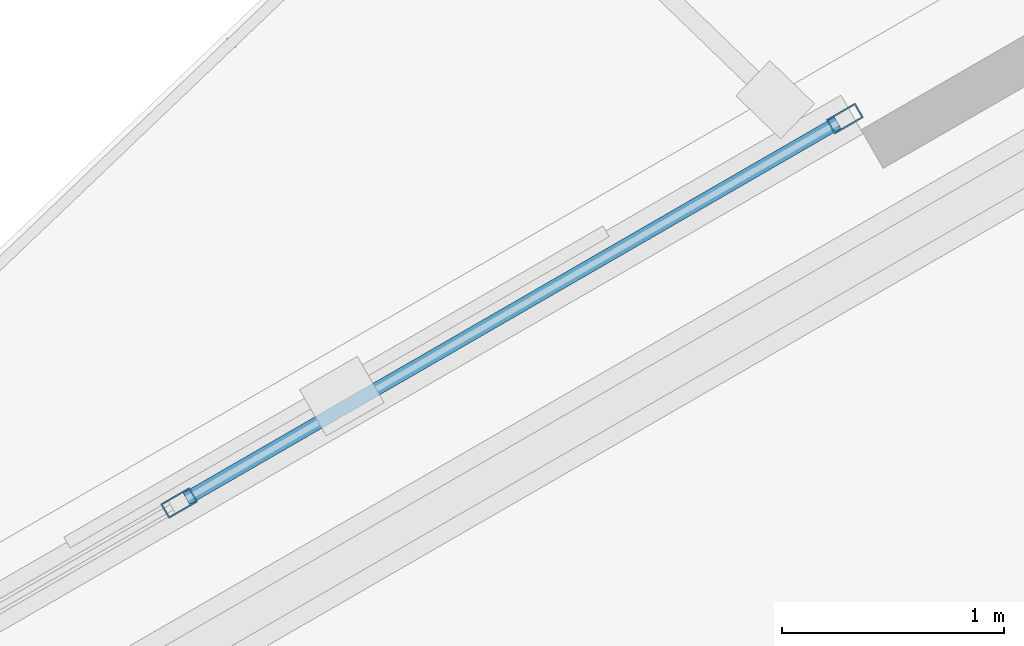
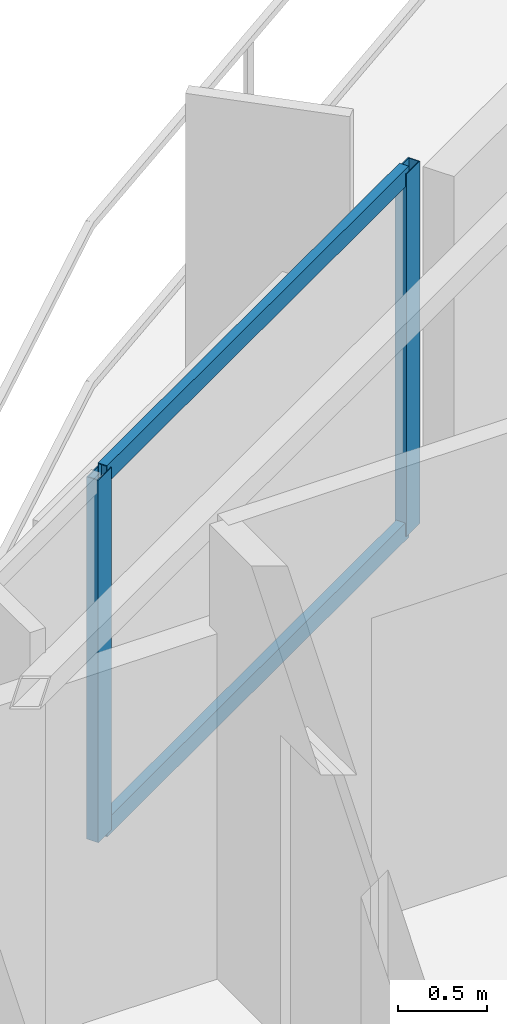
# One storey, part 10 of 18: 4 members, 1 element without a shape of its own.
"""IFC4 building model written with IfcOpenShell, lengths in metres."""

from ifc_helpers import new_model, si_unit, direction, frame, origin, origin_2d, place, context, subcontext, project, spatial, hollow_rectangle, extrude, material, layer, layer_set, material_profile, profile_set, type_object, element, aggregate, save


model = new_model("IFC4")

# Units and contexts
model_context = context("Model", 3, precision=1e-05, world=origin(), true_north=direction((0.0, 1.0)))
body_context = subcontext(model_context, "Body", "Model", "MODEL_VIEW")
ifc_project = project(units=[si_unit("LENGTHUNIT", "METRE"), si_unit("AREAUNIT", "SQUARE_METRE"), si_unit("VOLUMEUNIT", "CUBIC_METRE"), si_unit("PLANEANGLEUNIT", "RADIAN"), si_unit("MASSUNIT", "GRAM", prefix="KILO")], contexts=[model_context])

# Site, building, storey
site_placement = place(None, origin())
site = spatial("IfcSite", under=ifc_project, at=site_placement, CompositionType="ELEMENT")
building_placement = place(site_placement, origin())
building = spatial("IfcBuilding", under=site, at=building_placement, Name="Mersakhor Tower and Convention Hall", CompositionType="ELEMENT")
storey_placement = place(building_placement, frame((0.0, 0.0, 134.39990234375)))
storey = spatial("IfcBuildingStorey", under=building, at=storey_placement, Name="L37", CompositionType="ELEMENT", Elevation=134.39990234375)

# Curtain wall, members
ifc_material_1 = material(Name="Dark solar low-E aluminium curtain wall", Category="aluminium")
ifc_layer = layer(ifc_material_1, 0.169921875)
ifc_layer_set = layer_set([ifc_layer], Name="Dark solar low-E aluminium curtain wall")
curtain_wall_type = type_object("IfcCurtainWallType", Name="CW-SYS-02", PredefinedType="USERDEFINED", material=ifc_layer_set)
curtain_wall_placement = place(storey_placement, origin())
curtain_wall = element("IfcCurtainWall", 1, at=curtain_wall_placement, inside=storey, type_object=curtain_wall_type, Name="L37 Dark-Glass Curtain Wall F1-B2", ObjectType="CURTAIN WALL", PredefinedType="USERDEFINED")
ifc_material_2 = material(Name="Anodised aluminium EN AW-6063 T6", Category="aluminium")
ifc_material_profile_1 = material_profile(ifc_material_2, hollow_rectangle(XDim=0.074951171875, YDim=0.14990234375, WallThickness=0.00634765625, at=origin_2d()), Name="RHS 150x75x6.3")
ifc_profile_set_1 = profile_set([ifc_material_profile_1], Name="Anodised aluminium EN AW-6063 T6")
member_type_1 = type_object("IfcMemberType", Name="CWM-150x75", PredefinedType="MULLION", material=ifc_profile_set_1)
member_1_placement = place(storey_placement, frame((23.904052734375, 39.072021484375, 0.2001953125), z_axis=(0.0, 0.0, 1.0), x_axis=(-0.499990468363, 0.866030906807, 0.0)))
member_1 = element("IfcMember", 2, at=member_1_placement, type_object=member_type_1, Name="CW-02 mullion 3", PredefinedType="MULLION", context=body_context, shape_type="SweptSolid", body=[
    extrude(hollow_rectangle(XDim=0.074951171875, YDim=0.14990234375, WallThickness=0.00634765625, at=origin_2d()), origin(), (0.0, 0.0, 1.0), 2.47998046875),
])
member_2_placement = place(storey_placement, frame((26.8984375, 40.80078125, 0.2001953125), z_axis=(0.0, 0.0, 1.0), x_axis=(-0.499990468363, 0.866030906807, 0.0)))
member_2 = element("IfcMember", 3, at=member_2_placement, type_object=member_type_1, Name="CW-02 mullion 4", PredefinedType="MULLION", context=body_context, shape_type="SweptSolid", body=[
    extrude(hollow_rectangle(XDim=0.074951171875, YDim=0.14990234375, WallThickness=0.00634765625, at=origin_2d()), origin(), (0.0, 0.0, 1.0), 2.47998046875),
])
ifc_material_3 = material(Name="Anodised aluminium EN AW-6063 T6", Category="aluminium")
ifc_material_profile_2 = material_profile(ifc_material_3, hollow_rectangle(XDim=0.06005859375, YDim=0.1201171875, WallThickness=0.0048828125, at=origin_2d()), Name="RHS 120x60x5")
ifc_profile_set_2 = profile_set([ifc_material_profile_2], Name="Anodised aluminium EN AW-6063 T6")
member_type_2 = type_object("IfcMemberType", Name="CWT-120x60", PredefinedType="USERDEFINED", material=ifc_profile_set_2)
member_3_placement = place(storey_placement, frame((23.9365234375, 39.0908203125, 0.22998046875), z_axis=(0.866044963944, 0.49996611928, 0.0), x_axis=(-0.49996611928, 0.866044963944, 0.0)))
member_3 = element("IfcMember", 4, at=member_3_placement, type_object=member_type_2, Name="CW-02 transom 3.1", ObjectType="TRANSOM", PredefinedType="USERDEFINED", context=body_context, shape_type="SweptSolid", body=[
    extrude(hollow_rectangle(XDim=0.06005859375, YDim=0.1201171875, WallThickness=0.0048828125, at=origin_2d()), origin(), (0.0, 0.0, 1.0), 3.382568359375),
])
member_4_placement = place(storey_placement, frame((23.9365234375, 39.0908203125, 2.650146484375), z_axis=(0.866044963944, 0.49996611928, 0.0), x_axis=(-0.49996611928, 0.866044963944, 0.0)))
member_4 = element("IfcMember", 5, at=member_4_placement, type_object=member_type_2, Name="CW-02 transom 3.2", ObjectType="TRANSOM", PredefinedType="USERDEFINED", context=body_context, shape_type="SweptSolid", body=[
    extrude(hollow_rectangle(XDim=0.06005859375, YDim=0.1201171875, WallThickness=0.0048828125, at=origin_2d()), origin(), (0.0, 0.0, 1.0), 3.382568359375),
])
aggregate(curtain_wall, [member_1, member_2, member_3, member_4])

save(model, "model.ifc")
